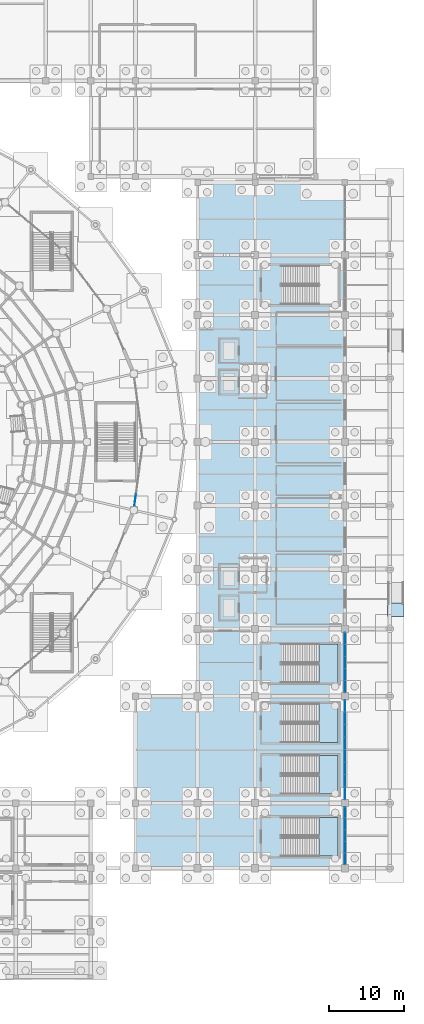
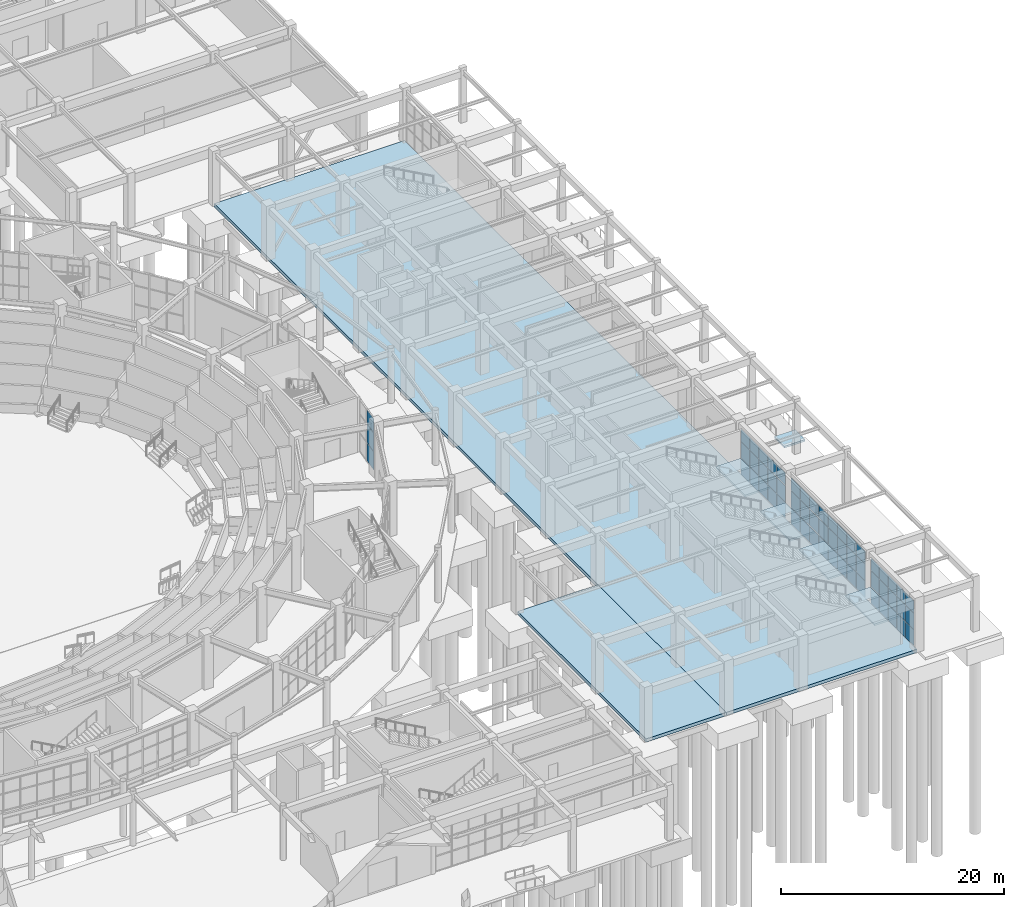
# One storey, part 75 of 121: 57 plates, 7 slabs, 9 elements without a shape of their own.
"""IFC4 building model written with IfcOpenShell, lengths in metres."""

from ifc_helpers import new_model, si_unit, direction, frame, origin, origin_2d, place, context, subcontext, project, spatial, polyline, rectangle, outline, extrude, material, layer, layer_set, type_object, element, aggregate, save


model = new_model("IFC4")

# Units and contexts
model_context = context("Model", 3, precision=1e-05, world=origin(), true_north=direction((0.0, 1.0)))
body_context = subcontext(model_context, "Body", "Model", "MODEL_VIEW")
ifc_project = project(units=[si_unit("LENGTHUNIT", "METRE"), si_unit("AREAUNIT", "SQUARE_METRE"), si_unit("VOLUMEUNIT", "CUBIC_METRE"), si_unit("PLANEANGLEUNIT", "RADIAN"), si_unit("MASSUNIT", "GRAM", prefix="KILO")], contexts=[model_context])

# Site, building, storey
site_placement = place(None, origin())
site = spatial("IfcSite", under=ifc_project, at=site_placement, CompositionType="ELEMENT")
building_placement = place(site_placement, origin())
building = spatial("IfcBuilding", under=site, at=building_placement, Name="Cuetzalor Civic Arena", CompositionType="ELEMENT")
storey_placement = place(building_placement, origin())
storey = spatial("IfcBuildingStorey", under=building, at=storey_placement, Name="L00", CompositionType="ELEMENT", Elevation=0.0)

# Curtain wall, plates
ifc_material_1 = material(Name="Anodised dark bronze aluminium and low-E solar glass", Category="aluminium")
curtain_wall_type_1 = type_object("IfcCurtainWallType", Name="UnitisedCW_8150x5700", PredefinedType="USERDEFINED", material=ifc_material_1)
curtain_wall_1_placement = place(storey_placement, origin())
curtain_wall_1 = element("IfcCurtainWall", 1, at=curtain_wall_1_placement, inside=storey, type_object=curtain_wall_type_1, Name="Drum Ground Recessed Concourse Curtain Wall L00-020", ObjectType="UNITISED CURTAIN WALL", PredefinedType="USERDEFINED")
ifc_material_2 = material(Name="Acoustic laminated solar control glass", Category="glass")
ifc_layer_1 = layer(ifc_material_2, 0.0439453125)
ifc_layer_set_1 = layer_set([ifc_layer_1], Name="Acoustic laminated solar control glass")
plate_type = type_object("IfcPlateType", Name="AcousticTripleGlazedPanel_44", PredefinedType="CURTAIN_PANEL", material=ifc_layer_set_1)
plate_1_placement = place(storey_placement, frame((47.951904296875, -7.784423828125, 0.06982421875), z_axis=(0.0, 0.0, 1.0), x_axis=(-0.133443440892, -0.991056430322, 0.0)))
plate_1 = element("IfcPlate", 2, at=plate_1_placement, type_object=plate_type, Name="CW-01 panel 5.1", PredefinedType="CURTAIN_PANEL", context=body_context, shape_type="SweptSolid", body=[
    extrude(rectangle(XDim=1.52978515625, YDim=0.0439453125, at=origin_2d()), origin(), (0.0, 0.0, 1.0), 1.947021484375),
])
plate_2_placement = place(storey_placement, frame((47.951904296875, -7.784423828125, 2.0869140625), z_axis=(0.0, 0.0, 1.0), x_axis=(-0.133443440892, -0.991056430322, 0.0)))
plate_2 = element("IfcPlate", 3, at=plate_2_placement, type_object=plate_type, Name="CW-01 panel 5.2", PredefinedType="CURTAIN_PANEL", context=body_context, shape_type="SweptSolid", body=[
    extrude(rectangle(XDim=1.52978515625, YDim=0.0439453125, at=origin_2d()), origin(), (0.0, 0.0, 1.0), 1.98193359375),
])
plate_3_placement = place(storey_placement, frame((47.951904296875, -7.784423828125, 4.13916015625), z_axis=(0.0, 0.0, 1.0), x_axis=(-0.133443440892, -0.991056430322, 0.0)))
plate_3 = element("IfcPlate", 4, at=plate_3_placement, type_object=plate_type, Name="CW-01 panel 5.3", PredefinedType="CURTAIN_PANEL", context=body_context, shape_type="SweptSolid", body=[
    extrude(rectangle(XDim=1.52978515625, YDim=0.0439453125, at=origin_2d()), origin(), (0.0, 0.0, 1.0), 1.490966796875),
])
aggregate(curtain_wall_1, [plate_1, plate_2, plate_3])

ifc_material_3 = material(Name="Anodised dark bronze aluminium and low-E solar glass", Category="aluminium")
curtain_wall_type_2 = type_object("IfcCurtainWallType", Name="UnitisedCW_7800x5050", PredefinedType="USERDEFINED", material=ifc_material_3)
curtain_wall_2_placement = place(storey_placement, origin())
curtain_wall_2 = element("IfcCurtainWall", 5, at=curtain_wall_2_placement, inside=storey, type_object=curtain_wall_type_2, Name="V4E Colonnade Curtain Wall L00-130", ObjectType="UNITISED CURTAIN WALL", PredefinedType="USERDEFINED")
plate_4_placement = place(storey_placement, frame((76.0, -49.552978515625, 0.070068359375), z_axis=(0.0, 0.0, 1.0), x_axis=(0.0, -1.0, 0.0)))
plate_4 = element("IfcPlate", 6, at=plate_4_placement, type_object=plate_type, Name="CW-31 panel 1.1", PredefinedType="CURTAIN_PANEL", context=body_context, shape_type="SweptSolid", body=[
    extrude(rectangle(XDim=1.4521484375, YDim=0.0439453125, at=origin_2d()), origin(), (0.0, 0.0, 1.0), 1.708984375),
])
plate_5_placement = place(storey_placement, frame((76.0, -49.552978515625, 1.848876953125), z_axis=(0.0, 0.0, 1.0), x_axis=(0.0, -1.0, 0.0)))
plate_5 = element("IfcPlate", 7, at=plate_5_placement, type_object=plate_type, Name="CW-31 panel 1.2", PredefinedType="CURTAIN_PANEL", context=body_context, shape_type="SweptSolid", body=[
    extrude(rectangle(XDim=1.4521484375, YDim=0.0439453125, at=origin_2d()), origin(), (0.0, 0.0, 1.0), 1.7451171875),
])
plate_6_placement = place(storey_placement, frame((76.0, -49.552978515625, 3.6640625), z_axis=(0.0, 0.0, 1.0), x_axis=(0.0, -1.0, 0.0)))
plate_6 = element("IfcPlate", 8, at=plate_6_placement, type_object=plate_type, Name="CW-31 panel 1.3", PredefinedType="CURTAIN_PANEL", context=body_context, shape_type="SweptSolid", body=[
    extrude(rectangle(XDim=1.4521484375, YDim=0.0439453125, at=origin_2d()), origin(), (0.0, 0.0, 1.0), 1.305908203125),
])
plate_7_placement = place(storey_placement, frame((76.0, -51.0927734375, 0.070068359375), z_axis=(0.0, 0.0, 1.0), x_axis=(0.0, -1.0, 0.0)))
plate_7 = element("IfcPlate", 9, at=plate_7_placement, type_object=plate_type, Name="CW-31 panel 2.1", PredefinedType="CURTAIN_PANEL", context=body_context, shape_type="SweptSolid", body=[
    extrude(rectangle(XDim=1.4873046875, YDim=0.0439453125, at=origin_2d()), origin(), (0.0, 0.0, 1.0), 1.708984375),
])
plate_8_placement = place(storey_placement, frame((76.0, -51.0927734375, 1.848876953125), z_axis=(0.0, 0.0, 1.0), x_axis=(0.0, -1.0, 0.0)))
plate_8 = element("IfcPlate", 10, at=plate_8_placement, type_object=plate_type, Name="CW-31 panel 2.2", PredefinedType="CURTAIN_PANEL", context=body_context, shape_type="SweptSolid", body=[
    extrude(rectangle(XDim=1.4873046875, YDim=0.0439453125, at=origin_2d()), origin(), (0.0, 0.0, 1.0), 1.7451171875),
])
plate_9_placement = place(storey_placement, frame((76.0, -51.0927734375, 3.6640625), z_axis=(0.0, 0.0, 1.0), x_axis=(0.0, -1.0, 0.0)))
plate_9 = element("IfcPlate", 11, at=plate_9_placement, type_object=plate_type, Name="CW-31 panel 2.3", PredefinedType="CURTAIN_PANEL", context=body_context, shape_type="SweptSolid", body=[
    extrude(rectangle(XDim=1.4873046875, YDim=0.0439453125, at=origin_2d()), origin(), (0.0, 0.0, 1.0), 1.305908203125),
])
plate_10_placement = place(storey_placement, frame((76.0, -52.64990234375, 0.070068359375), z_axis=(0.0, 0.0, 1.0), x_axis=(0.0, -1.0, 0.0)))
plate_10 = element("IfcPlate", 12, at=plate_10_placement, type_object=plate_type, Name="CW-31 panel 3.1", PredefinedType="CURTAIN_PANEL", context=body_context, shape_type="SweptSolid", body=[
    extrude(rectangle(XDim=1.4873046875, YDim=0.0439453125, at=origin_2d()), origin(), (0.0, 0.0, 1.0), 1.708984375),
])
plate_11_placement = place(storey_placement, frame((76.0, -52.64990234375, 1.848876953125), z_axis=(0.0, 0.0, 1.0), x_axis=(0.0, -1.0, 0.0)))
plate_11 = element("IfcPlate", 13, at=plate_11_placement, type_object=plate_type, Name="CW-31 panel 3.2", PredefinedType="CURTAIN_PANEL", context=body_context, shape_type="SweptSolid", body=[
    extrude(rectangle(XDim=1.4873046875, YDim=0.0439453125, at=origin_2d()), origin(), (0.0, 0.0, 1.0), 1.7451171875),
])
plate_12_placement = place(storey_placement, frame((76.0, -52.64990234375, 3.6640625), z_axis=(0.0, 0.0, 1.0), x_axis=(0.0, -1.0, 0.0)))
plate_12 = element("IfcPlate", 14, at=plate_12_placement, type_object=plate_type, Name="CW-31 panel 3.3", PredefinedType="CURTAIN_PANEL", context=body_context, shape_type="SweptSolid", body=[
    extrude(rectangle(XDim=1.4873046875, YDim=0.0439453125, at=origin_2d()), origin(), (0.0, 0.0, 1.0), 1.305908203125),
])
plate_13_placement = place(storey_placement, frame((76.0, -54.207275390625, 0.070068359375), z_axis=(0.0, 0.0, 1.0), x_axis=(0.0, -1.0, 0.0)))
plate_13 = element("IfcPlate", 15, at=plate_13_placement, type_object=plate_type, Name="CW-31 panel 4.1", PredefinedType="CURTAIN_PANEL", context=body_context, shape_type="SweptSolid", body=[
    extrude(rectangle(XDim=1.4873046875, YDim=0.0439453125, at=origin_2d()), origin(), (0.0, 0.0, 1.0), 1.708984375),
])
plate_14_placement = place(storey_placement, frame((76.0, -54.207275390625, 1.848876953125), z_axis=(0.0, 0.0, 1.0), x_axis=(0.0, -1.0, 0.0)))
plate_14 = element("IfcPlate", 16, at=plate_14_placement, type_object=plate_type, Name="CW-31 panel 4.2", PredefinedType="CURTAIN_PANEL", context=body_context, shape_type="SweptSolid", body=[
    extrude(rectangle(XDim=1.4873046875, YDim=0.0439453125, at=origin_2d()), origin(), (0.0, 0.0, 1.0), 1.7451171875),
])
plate_15_placement = place(storey_placement, frame((76.0, -54.207275390625, 3.6640625), z_axis=(0.0, 0.0, 1.0), x_axis=(0.0, -1.0, 0.0)))
plate_15 = element("IfcPlate", 17, at=plate_15_placement, type_object=plate_type, Name="CW-31 panel 4.3", PredefinedType="CURTAIN_PANEL", context=body_context, shape_type="SweptSolid", body=[
    extrude(rectangle(XDim=1.4873046875, YDim=0.0439453125, at=origin_2d()), origin(), (0.0, 0.0, 1.0), 1.305908203125),
])
plate_16_placement = place(storey_placement, frame((76.0, -55.746826171875, 0.070068359375), z_axis=(0.0, 0.0, 1.0), x_axis=(0.0, -1.0, 0.0)))
plate_16 = element("IfcPlate", 18, at=plate_16_placement, type_object=plate_type, Name="CW-31 panel 5.1", PredefinedType="CURTAIN_PANEL", context=body_context, shape_type="SweptSolid", body=[
    extrude(rectangle(XDim=1.4521484375, YDim=0.0439453125, at=origin_2d()), origin(), (0.0, 0.0, 1.0), 1.708984375),
])
plate_17_placement = place(storey_placement, frame((76.0, -55.746826171875, 1.848876953125), z_axis=(0.0, 0.0, 1.0), x_axis=(0.0, -1.0, 0.0)))
plate_17 = element("IfcPlate", 19, at=plate_17_placement, type_object=plate_type, Name="CW-31 panel 5.2", PredefinedType="CURTAIN_PANEL", context=body_context, shape_type="SweptSolid", body=[
    extrude(rectangle(XDim=1.4521484375, YDim=0.0439453125, at=origin_2d()), origin(), (0.0, 0.0, 1.0), 1.7451171875),
])
plate_18_placement = place(storey_placement, frame((76.0, -55.746826171875, 3.6640625), z_axis=(0.0, 0.0, 1.0), x_axis=(0.0, -1.0, 0.0)))
plate_18 = element("IfcPlate", 20, at=plate_18_placement, type_object=plate_type, Name="CW-31 panel 5.3", PredefinedType="CURTAIN_PANEL", context=body_context, shape_type="SweptSolid", body=[
    extrude(rectangle(XDim=1.4521484375, YDim=0.0439453125, at=origin_2d()), origin(), (0.0, 0.0, 1.0), 1.305908203125),
])
aggregate(curtain_wall_2, [plate_4, plate_5, plate_6, plate_7, plate_8, plate_9, plate_10, plate_11, plate_12, plate_13, plate_14, plate_15, plate_16, plate_17, plate_18])

ifc_material_4 = material(Name="Anodised dark bronze aluminium and low-E solar glass", Category="aluminium")
curtain_wall_type_3 = type_object("IfcCurtainWallType", Name="UnitisedCW_13400x5150", PredefinedType="USERDEFINED", material=ifc_material_4)
curtain_wall_3_placement = place(storey_placement, origin())
curtain_wall_3 = element("IfcCurtainWall", 21, at=curtain_wall_3_placement, inside=storey, type_object=curtain_wall_type_3, Name="V4E Colonnade Curtain Wall L00-131", ObjectType="UNITISED CURTAIN WALL", PredefinedType="USERDEFINED")
plate_19_placement = place(storey_placement, frame((76.0, -35.31103515625, 0.070068359375), z_axis=(0.0, 0.0, 1.0), x_axis=(0.0, -1.0, 0.0)))
plate_19 = element("IfcPlate", 22, at=plate_19_placement, type_object=plate_type, Name="CW-32 panel 1.1", PredefinedType="CURTAIN_PANEL", context=body_context, shape_type="SweptSolid", body=[
    extrude(rectangle(XDim=1.568359375, YDim=0.0439453125, at=origin_2d()), origin(), (0.0, 0.0, 1.0), 1.751953125),
])
plate_20_placement = place(storey_placement, frame((76.0, -35.31103515625, 1.89208984375), z_axis=(0.0, 0.0, 1.0), x_axis=(0.0, -1.0, 0.0)))
plate_20 = element("IfcPlate", 23, at=plate_20_placement, type_object=plate_type, Name="CW-32 panel 1.2", PredefinedType="CURTAIN_PANEL", context=body_context, shape_type="SweptSolid", body=[
    extrude(rectangle(XDim=1.568359375, YDim=0.0439453125, at=origin_2d()), origin(), (0.0, 0.0, 1.0), 1.785888671875),
])
plate_21_placement = place(storey_placement, frame((76.0, -35.31103515625, 3.748046875), z_axis=(0.0, 0.0, 1.0), x_axis=(0.0, -1.0, 0.0)))
plate_21 = element("IfcPlate", 24, at=plate_21_placement, type_object=plate_type, Name="CW-32 panel 1.3", PredefinedType="CURTAIN_PANEL", context=body_context, shape_type="SweptSolid", body=[
    extrude(rectangle(XDim=1.568359375, YDim=0.0439453125, at=origin_2d()), origin(), (0.0, 0.0, 1.0), 1.339111328125),
])
plate_22_placement = place(storey_placement, frame((76.0, -36.966796875, 0.070068359375), z_axis=(0.0, 0.0, 1.0), x_axis=(0.0, -1.0, 0.0)))
plate_22 = element("IfcPlate", 25, at=plate_22_placement, type_object=plate_type, Name="CW-32 panel 2.1", PredefinedType="CURTAIN_PANEL", context=body_context, shape_type="SweptSolid", body=[
    extrude(rectangle(XDim=1.603271484375, YDim=0.0439453125, at=origin_2d()), origin(), (0.0, 0.0, 1.0), 1.751953125),
])
plate_23_placement = place(storey_placement, frame((76.0, -36.966796875, 1.89208984375), z_axis=(0.0, 0.0, 1.0), x_axis=(0.0, -1.0, 0.0)))
plate_23 = element("IfcPlate", 26, at=plate_23_placement, type_object=plate_type, Name="CW-32 panel 2.2", PredefinedType="CURTAIN_PANEL", context=body_context, shape_type="SweptSolid", body=[
    extrude(rectangle(XDim=1.603271484375, YDim=0.0439453125, at=origin_2d()), origin(), (0.0, 0.0, 1.0), 1.785888671875),
])
plate_24_placement = place(storey_placement, frame((76.0, -36.966796875, 3.748046875), z_axis=(0.0, 0.0, 1.0), x_axis=(0.0, -1.0, 0.0)))
plate_24 = element("IfcPlate", 27, at=plate_24_placement, type_object=plate_type, Name="CW-32 panel 2.3", PredefinedType="CURTAIN_PANEL", context=body_context, shape_type="SweptSolid", body=[
    extrude(rectangle(XDim=1.603271484375, YDim=0.0439453125, at=origin_2d()), origin(), (0.0, 0.0, 1.0), 1.339111328125),
])
plate_25_placement = place(storey_placement, frame((76.0, -38.64013671875, 0.070068359375), z_axis=(0.0, 0.0, 1.0), x_axis=(0.0, -1.0, 0.0)))
plate_25 = element("IfcPlate", 28, at=plate_25_placement, type_object=plate_type, Name="CW-32 panel 3.1", PredefinedType="CURTAIN_PANEL", context=body_context, shape_type="SweptSolid", body=[
    extrude(rectangle(XDim=1.603271484375, YDim=0.0439453125, at=origin_2d()), origin(), (0.0, 0.0, 1.0), 1.751953125),
])
plate_26_placement = place(storey_placement, frame((76.0, -38.64013671875, 1.89208984375), z_axis=(0.0, 0.0, 1.0), x_axis=(0.0, -1.0, 0.0)))
plate_26 = element("IfcPlate", 29, at=plate_26_placement, type_object=plate_type, Name="CW-32 panel 3.2", PredefinedType="CURTAIN_PANEL", context=body_context, shape_type="SweptSolid", body=[
    extrude(rectangle(XDim=1.603271484375, YDim=0.0439453125, at=origin_2d()), origin(), (0.0, 0.0, 1.0), 1.785888671875),
])
plate_27_placement = place(storey_placement, frame((76.0, -38.64013671875, 3.748046875), z_axis=(0.0, 0.0, 1.0), x_axis=(0.0, -1.0, 0.0)))
plate_27 = element("IfcPlate", 30, at=plate_27_placement, type_object=plate_type, Name="CW-32 panel 3.3", PredefinedType="CURTAIN_PANEL", context=body_context, shape_type="SweptSolid", body=[
    extrude(rectangle(XDim=1.603271484375, YDim=0.0439453125, at=origin_2d()), origin(), (0.0, 0.0, 1.0), 1.339111328125),
])
plate_28_placement = place(storey_placement, frame((76.0, -40.3134765625, 0.070068359375), z_axis=(0.0, 0.0, 1.0), x_axis=(0.0, -1.0, 0.0)))
plate_28 = element("IfcPlate", 31, at=plate_28_placement, type_object=plate_type, Name="CW-32 panel 4.1", PredefinedType="CURTAIN_PANEL", context=body_context, shape_type="SweptSolid", body=[
    extrude(rectangle(XDim=1.603271484375, YDim=0.0439453125, at=origin_2d()), origin(), (0.0, 0.0, 1.0), 1.751953125),
])
plate_29_placement = place(storey_placement, frame((76.0, -40.3134765625, 1.89208984375), z_axis=(0.0, 0.0, 1.0), x_axis=(0.0, -1.0, 0.0)))
plate_29 = element("IfcPlate", 32, at=plate_29_placement, type_object=plate_type, Name="CW-32 panel 4.2", PredefinedType="CURTAIN_PANEL", context=body_context, shape_type="SweptSolid", body=[
    extrude(rectangle(XDim=1.603271484375, YDim=0.0439453125, at=origin_2d()), origin(), (0.0, 0.0, 1.0), 1.785888671875),
])
plate_30_placement = place(storey_placement, frame((76.0, -40.3134765625, 3.748046875), z_axis=(0.0, 0.0, 1.0), x_axis=(0.0, -1.0, 0.0)))
plate_30 = element("IfcPlate", 33, at=plate_30_placement, type_object=plate_type, Name="CW-32 panel 4.3", PredefinedType="CURTAIN_PANEL", context=body_context, shape_type="SweptSolid", body=[
    extrude(rectangle(XDim=1.603271484375, YDim=0.0439453125, at=origin_2d()), origin(), (0.0, 0.0, 1.0), 1.339111328125),
])
plate_31_placement = place(storey_placement, frame((76.0, -41.986572265625, 0.070068359375), z_axis=(0.0, 0.0, 1.0), x_axis=(0.0, -1.0, 0.0)))
plate_31 = element("IfcPlate", 34, at=plate_31_placement, type_object=plate_type, Name="CW-32 panel 5.1", PredefinedType="CURTAIN_PANEL", context=body_context, shape_type="SweptSolid", body=[
    extrude(rectangle(XDim=1.603271484375, YDim=0.0439453125, at=origin_2d()), origin(), (0.0, 0.0, 1.0), 1.751953125),
])
plate_32_placement = place(storey_placement, frame((76.0, -41.986572265625, 1.89208984375), z_axis=(0.0, 0.0, 1.0), x_axis=(0.0, -1.0, 0.0)))
plate_32 = element("IfcPlate", 35, at=plate_32_placement, type_object=plate_type, Name="CW-32 panel 5.2", PredefinedType="CURTAIN_PANEL", context=body_context, shape_type="SweptSolid", body=[
    extrude(rectangle(XDim=1.603271484375, YDim=0.0439453125, at=origin_2d()), origin(), (0.0, 0.0, 1.0), 1.785888671875),
])
plate_33_placement = place(storey_placement, frame((76.0, -41.986572265625, 3.748046875), z_axis=(0.0, 0.0, 1.0), x_axis=(0.0, -1.0, 0.0)))
plate_33 = element("IfcPlate", 36, at=plate_33_placement, type_object=plate_type, Name="CW-32 panel 5.3", PredefinedType="CURTAIN_PANEL", context=body_context, shape_type="SweptSolid", body=[
    extrude(rectangle(XDim=1.603271484375, YDim=0.0439453125, at=origin_2d()), origin(), (0.0, 0.0, 1.0), 1.339111328125),
])
plate_34_placement = place(storey_placement, frame((76.0, -43.659912109375, 0.070068359375), z_axis=(0.0, 0.0, 1.0), x_axis=(0.0, -1.0, 0.0)))
plate_34 = element("IfcPlate", 37, at=plate_34_placement, type_object=plate_type, Name="CW-32 panel 6.1", PredefinedType="CURTAIN_PANEL", context=body_context, shape_type="SweptSolid", body=[
    extrude(rectangle(XDim=1.603271484375, YDim=0.0439453125, at=origin_2d()), origin(), (0.0, 0.0, 1.0), 1.751953125),
])
plate_35_placement = place(storey_placement, frame((76.0, -43.659912109375, 1.89208984375), z_axis=(0.0, 0.0, 1.0), x_axis=(0.0, -1.0, 0.0)))
plate_35 = element("IfcPlate", 38, at=plate_35_placement, type_object=plate_type, Name="CW-32 panel 6.2", PredefinedType="CURTAIN_PANEL", context=body_context, shape_type="SweptSolid", body=[
    extrude(rectangle(XDim=1.603271484375, YDim=0.0439453125, at=origin_2d()), origin(), (0.0, 0.0, 1.0), 1.785888671875),
])
plate_36_placement = place(storey_placement, frame((76.0, -43.659912109375, 3.748046875), z_axis=(0.0, 0.0, 1.0), x_axis=(0.0, -1.0, 0.0)))
plate_36 = element("IfcPlate", 39, at=plate_36_placement, type_object=plate_type, Name="CW-32 panel 6.3", PredefinedType="CURTAIN_PANEL", context=body_context, shape_type="SweptSolid", body=[
    extrude(rectangle(XDim=1.603271484375, YDim=0.0439453125, at=origin_2d()), origin(), (0.0, 0.0, 1.0), 1.339111328125),
])
plate_37_placement = place(storey_placement, frame((76.0, -45.3330078125, 0.070068359375), z_axis=(0.0, 0.0, 1.0), x_axis=(0.0, -1.0, 0.0)))
plate_37 = element("IfcPlate", 40, at=plate_37_placement, type_object=plate_type, Name="CW-32 panel 7.1", PredefinedType="CURTAIN_PANEL", context=body_context, shape_type="SweptSolid", body=[
    extrude(rectangle(XDim=1.603271484375, YDim=0.0439453125, at=origin_2d()), origin(), (0.0, 0.0, 1.0), 1.751953125),
])
plate_38_placement = place(storey_placement, frame((76.0, -45.3330078125, 1.89208984375), z_axis=(0.0, 0.0, 1.0), x_axis=(0.0, -1.0, 0.0)))
plate_38 = element("IfcPlate", 41, at=plate_38_placement, type_object=plate_type, Name="CW-32 panel 7.2", PredefinedType="CURTAIN_PANEL", context=body_context, shape_type="SweptSolid", body=[
    extrude(rectangle(XDim=1.603271484375, YDim=0.0439453125, at=origin_2d()), origin(), (0.0, 0.0, 1.0), 1.785888671875),
])
plate_39_placement = place(storey_placement, frame((76.0, -45.3330078125, 3.748046875), z_axis=(0.0, 0.0, 1.0), x_axis=(0.0, -1.0, 0.0)))
plate_39 = element("IfcPlate", 42, at=plate_39_placement, type_object=plate_type, Name="CW-32 panel 7.3", PredefinedType="CURTAIN_PANEL", context=body_context, shape_type="SweptSolid", body=[
    extrude(rectangle(XDim=1.603271484375, YDim=0.0439453125, at=origin_2d()), origin(), (0.0, 0.0, 1.0), 1.339111328125),
])
plate_40_placement = place(storey_placement, frame((76.0, -46.98876953125, 0.070068359375), z_axis=(0.0, 0.0, 1.0), x_axis=(0.0, -1.0, 0.0)))
plate_40 = element("IfcPlate", 43, at=plate_40_placement, type_object=plate_type, Name="CW-32 panel 8.1", PredefinedType="CURTAIN_PANEL", context=body_context, shape_type="SweptSolid", body=[
    extrude(rectangle(XDim=1.568359375, YDim=0.0439453125, at=origin_2d()), origin(), (0.0, 0.0, 1.0), 1.751953125),
])
plate_41_placement = place(storey_placement, frame((76.0, -46.98876953125, 1.89208984375), z_axis=(0.0, 0.0, 1.0), x_axis=(0.0, -1.0, 0.0)))
plate_41 = element("IfcPlate", 44, at=plate_41_placement, type_object=plate_type, Name="CW-32 panel 8.2", PredefinedType="CURTAIN_PANEL", context=body_context, shape_type="SweptSolid", body=[
    extrude(rectangle(XDim=1.568359375, YDim=0.0439453125, at=origin_2d()), origin(), (0.0, 0.0, 1.0), 1.785888671875),
])
plate_42_placement = place(storey_placement, frame((76.0, -46.98876953125, 3.748046875), z_axis=(0.0, 0.0, 1.0), x_axis=(0.0, -1.0, 0.0)))
plate_42 = element("IfcPlate", 45, at=plate_42_placement, type_object=plate_type, Name="CW-32 panel 8.3", PredefinedType="CURTAIN_PANEL", context=body_context, shape_type="SweptSolid", body=[
    extrude(rectangle(XDim=1.568359375, YDim=0.0439453125, at=origin_2d()), origin(), (0.0, 0.0, 1.0), 1.339111328125),
])
aggregate(curtain_wall_3, [plate_19, plate_20, plate_21, plate_22, plate_23, plate_24, plate_25, plate_26, plate_27, plate_28, plate_29, plate_30, plate_31, plate_32, plate_33, plate_34, plate_35, plate_36, plate_37, plate_38, plate_39, plate_40, plate_41, plate_42])

ifc_material_5 = material(Name="Anodised dark bronze aluminium and low-E solar glass", Category="aluminium")
curtain_wall_type_4 = type_object("IfcCurtainWallType", Name="UnitisedCW_8100x5050", PredefinedType="USERDEFINED", material=ifc_material_5)
curtain_wall_4_placement = place(storey_placement, origin())
curtain_wall_4 = element("IfcCurtainWall", 46, at=curtain_wall_4_placement, inside=storey, type_object=curtain_wall_type_4, Name="V4E Colonnade Curtain Wall L00-132", ObjectType="UNITISED CURTAIN WALL", PredefinedType="USERDEFINED")
plate_43_placement = place(storey_placement, frame((76.0, -26.283203125, 0.070068359375), z_axis=(0.0, 0.0, 1.0), x_axis=(0.0, -1.0, 0.0)))
plate_43 = element("IfcPlate", 47, at=plate_43_placement, type_object=plate_type, Name="CW-33 panel 1.1", PredefinedType="CURTAIN_PANEL", context=body_context, shape_type="SweptSolid", body=[
    extrude(rectangle(XDim=1.51220703125, YDim=0.0439453125, at=origin_2d()), origin(), (0.0, 0.0, 1.0), 1.708984375),
])
plate_44_placement = place(storey_placement, frame((76.0, -26.283203125, 1.848876953125), z_axis=(0.0, 0.0, 1.0), x_axis=(0.0, -1.0, 0.0)))
plate_44 = element("IfcPlate", 48, at=plate_44_placement, type_object=plate_type, Name="CW-33 panel 1.2", PredefinedType="CURTAIN_PANEL", context=body_context, shape_type="SweptSolid", body=[
    extrude(rectangle(XDim=1.51220703125, YDim=0.0439453125, at=origin_2d()), origin(), (0.0, 0.0, 1.0), 1.7451171875),
])
plate_45_placement = place(storey_placement, frame((76.0, -26.283203125, 3.6640625), z_axis=(0.0, 0.0, 1.0), x_axis=(0.0, -1.0, 0.0)))
plate_45 = element("IfcPlate", 49, at=plate_45_placement, type_object=plate_type, Name="CW-33 panel 1.3", PredefinedType="CURTAIN_PANEL", context=body_context, shape_type="SweptSolid", body=[
    extrude(rectangle(XDim=1.51220703125, YDim=0.0439453125, at=origin_2d()), origin(), (0.0, 0.0, 1.0), 1.305908203125),
])
plate_46_placement = place(storey_placement, frame((76.0, -27.8828125, 0.070068359375), z_axis=(0.0, 0.0, 1.0), x_axis=(0.0, -1.0, 0.0)))
plate_46 = element("IfcPlate", 50, at=plate_46_placement, type_object=plate_type, Name="CW-33 panel 2.1", PredefinedType="CURTAIN_PANEL", context=body_context, shape_type="SweptSolid", body=[
    extrude(rectangle(XDim=1.547119140625, YDim=0.0439453125, at=origin_2d()), origin(), (0.0, 0.0, 1.0), 1.708984375),
])
plate_47_placement = place(storey_placement, frame((76.0, -27.8828125, 1.848876953125), z_axis=(0.0, 0.0, 1.0), x_axis=(0.0, -1.0, 0.0)))
plate_47 = element("IfcPlate", 51, at=plate_47_placement, type_object=plate_type, Name="CW-33 panel 2.2", PredefinedType="CURTAIN_PANEL", context=body_context, shape_type="SweptSolid", body=[
    extrude(rectangle(XDim=1.547119140625, YDim=0.0439453125, at=origin_2d()), origin(), (0.0, 0.0, 1.0), 1.7451171875),
])
plate_48_placement = place(storey_placement, frame((76.0, -27.8828125, 3.6640625), z_axis=(0.0, 0.0, 1.0), x_axis=(0.0, -1.0, 0.0)))
plate_48 = element("IfcPlate", 52, at=plate_48_placement, type_object=plate_type, Name="CW-33 panel 2.3", PredefinedType="CURTAIN_PANEL", context=body_context, shape_type="SweptSolid", body=[
    extrude(rectangle(XDim=1.547119140625, YDim=0.0439453125, at=origin_2d()), origin(), (0.0, 0.0, 1.0), 1.305908203125),
])
plate_49_placement = place(storey_placement, frame((76.0, -29.5, 0.070068359375), z_axis=(0.0, 0.0, 1.0), x_axis=(0.0, -1.0, 0.0)))
plate_49 = element("IfcPlate", 53, at=plate_49_placement, type_object=plate_type, Name="CW-33 panel 3.1", PredefinedType="CURTAIN_PANEL", context=body_context, shape_type="SweptSolid", body=[
    extrude(rectangle(XDim=1.547119140625, YDim=0.0439453125, at=origin_2d()), origin(), (0.0, 0.0, 1.0), 1.708984375),
])
plate_50_placement = place(storey_placement, frame((76.0, -29.5, 1.848876953125), z_axis=(0.0, 0.0, 1.0), x_axis=(0.0, -1.0, 0.0)))
plate_50 = element("IfcPlate", 54, at=plate_50_placement, type_object=plate_type, Name="CW-33 panel 3.2", PredefinedType="CURTAIN_PANEL", context=body_context, shape_type="SweptSolid", body=[
    extrude(rectangle(XDim=1.547119140625, YDim=0.0439453125, at=origin_2d()), origin(), (0.0, 0.0, 1.0), 1.7451171875),
])
plate_51_placement = place(storey_placement, frame((76.0, -29.5, 3.6640625), z_axis=(0.0, 0.0, 1.0), x_axis=(0.0, -1.0, 0.0)))
plate_51 = element("IfcPlate", 55, at=plate_51_placement, type_object=plate_type, Name="CW-33 panel 3.3", PredefinedType="CURTAIN_PANEL", context=body_context, shape_type="SweptSolid", body=[
    extrude(rectangle(XDim=1.547119140625, YDim=0.0439453125, at=origin_2d()), origin(), (0.0, 0.0, 1.0), 1.305908203125),
])
plate_52_placement = place(storey_placement, frame((76.0, -31.1171875, 0.070068359375), z_axis=(0.0, 0.0, 1.0), x_axis=(0.0, -1.0, 0.0)))
plate_52 = element("IfcPlate", 56, at=plate_52_placement, type_object=plate_type, Name="CW-33 panel 4.1", PredefinedType="CURTAIN_PANEL", context=body_context, shape_type="SweptSolid", body=[
    extrude(rectangle(XDim=1.547119140625, YDim=0.0439453125, at=origin_2d()), origin(), (0.0, 0.0, 1.0), 1.708984375),
])
plate_53_placement = place(storey_placement, frame((76.0, -31.1171875, 1.848876953125), z_axis=(0.0, 0.0, 1.0), x_axis=(0.0, -1.0, 0.0)))
plate_53 = element("IfcPlate", 57, at=plate_53_placement, type_object=plate_type, Name="CW-33 panel 4.2", PredefinedType="CURTAIN_PANEL", context=body_context, shape_type="SweptSolid", body=[
    extrude(rectangle(XDim=1.547119140625, YDim=0.0439453125, at=origin_2d()), origin(), (0.0, 0.0, 1.0), 1.7451171875),
])
plate_54_placement = place(storey_placement, frame((76.0, -31.1171875, 3.6640625), z_axis=(0.0, 0.0, 1.0), x_axis=(0.0, -1.0, 0.0)))
plate_54 = element("IfcPlate", 58, at=plate_54_placement, type_object=plate_type, Name="CW-33 panel 4.3", PredefinedType="CURTAIN_PANEL", context=body_context, shape_type="SweptSolid", body=[
    extrude(rectangle(XDim=1.547119140625, YDim=0.0439453125, at=origin_2d()), origin(), (0.0, 0.0, 1.0), 1.305908203125),
])
plate_55_placement = place(storey_placement, frame((76.0, -32.716796875, 0.070068359375), z_axis=(0.0, 0.0, 1.0), x_axis=(0.0, -1.0, 0.0)))
plate_55 = element("IfcPlate", 59, at=plate_55_placement, type_object=plate_type, Name="CW-33 panel 5.1", PredefinedType="CURTAIN_PANEL", context=body_context, shape_type="SweptSolid", body=[
    extrude(rectangle(XDim=1.51220703125, YDim=0.0439453125, at=origin_2d()), origin(), (0.0, 0.0, 1.0), 1.708984375),
])
plate_56_placement = place(storey_placement, frame((76.0, -32.716796875, 1.848876953125), z_axis=(0.0, 0.0, 1.0), x_axis=(0.0, -1.0, 0.0)))
plate_56 = element("IfcPlate", 60, at=plate_56_placement, type_object=plate_type, Name="CW-33 panel 5.2", PredefinedType="CURTAIN_PANEL", context=body_context, shape_type="SweptSolid", body=[
    extrude(rectangle(XDim=1.51220703125, YDim=0.0439453125, at=origin_2d()), origin(), (0.0, 0.0, 1.0), 1.7451171875),
])
plate_57_placement = place(storey_placement, frame((76.0, -32.716796875, 3.6640625), z_axis=(0.0, 0.0, 1.0), x_axis=(0.0, -1.0, 0.0)))
plate_57 = element("IfcPlate", 61, at=plate_57_placement, type_object=plate_type, Name="CW-33 panel 5.3", PredefinedType="CURTAIN_PANEL", context=body_context, shape_type="SweptSolid", body=[
    extrude(rectangle(XDim=1.51220703125, YDim=0.0439453125, at=origin_2d()), origin(), (0.0, 0.0, 1.0), 1.305908203125),
])
aggregate(curtain_wall_4, [plate_43, plate_44, plate_45, plate_46, plate_47, plate_48, plate_49, plate_50, plate_51, plate_52, plate_53, plate_54, plate_55, plate_56, plate_57])

# Slabs
ifc_material_6 = material(Name="Concrete C35/45", Category="concrete")
ifc_layer_2 = layer(ifc_material_6, 0.35009765625)
ifc_layer_set_2 = layer_set([ifc_layer_2], Name="Concrete C35/45")
slab_type_1 = type_object("IfcSlabType", Name="GroundBaseSlab_350", PredefinedType="BASESLAB", material=ifc_layer_set_2)
slab_1_placement = place(storey_placement, frame((0.0, 0.0, -0.35009765625)))
element("IfcSlab", 62, at=slab_1_placement, inside=storey, type_object=slab_type_1, Name="V4E Concourse Ground Base Slab", PredefinedType="BASESLAB", context=body_context, shape_type="SweptSolid", body=[
    extrude(outline(polyline([(56.300048828125, -57.0), (76.0, -57.0), (76.0, 34.699951171875), (56.300048828125, 34.699951171875), (56.300048828125, -57.0)])), origin(), (0.0, 0.0, 1.0), 0.35009765625),
])
slab_2_placement = place(storey_placement, frame((0.0, 0.0, -0.35009765625)))
element("IfcSlab", 63, at=slab_2_placement, inside=storey, type_object=slab_type_1, Name="V4E South Return Ground Base Slab", PredefinedType="BASESLAB", context=body_context, shape_type="SweptSolid", body=[
    extrude(outline(polyline([(48.0, -57.0), (56.300048828125, -57.0), (56.300048828125, -34.0), (48.0, -34.0), (48.0, -57.0)])), origin(), (0.0, 0.0, 1.0), 0.35009765625),
])

# Stair, slab
ifc_material_7 = material(Name="Precast concrete C40/50", Category="concrete")
stair_type = type_object("IfcStairType", Name="EnclosedExitStair_H600", PredefinedType="HALF_TURN_STAIR", material=ifc_material_7)
stair_1_placement = place(storey_placement, origin())
stair_1 = element("IfcStair", 64, at=stair_1_placement, inside=storey, type_object=stair_type, Name="L00 Enclosed Exit Stair ST-18", PredefinedType="HALF_TURN_STAIR")
ifc_material_8 = material(Name="Concrete C40/50", Category="concrete")
ifc_layer_3 = layer(ifc_material_8, 0.199951171875)
ifc_layer_set_3 = layer_set([ifc_layer_3], Name="Concrete C40/50")
slab_type_2 = type_object("IfcSlabType", Name="StairHalfLandingSlab_200", PredefinedType="LANDING", material=ifc_layer_set_3)
slab_3_placement = place(storey_placement, frame((0.0, 0.0, 2.800048828125)))
slab_3 = element("IfcSlab", 65, at=slab_3_placement, type_object=slab_type_2, Name="ST-18 landing 1", PredefinedType="LANDING", context=body_context, shape_type="SweptSolid", body=[
    extrude(outline(polyline([(72.5380859375, -55.39990234375), (75.10009765625, -55.39990234375), (75.10009765625, -50.199951171875), (72.5380859375, -50.199951171875), (72.5380859375, -55.39990234375)])), origin(), (0.0, 0.0, 1.0), 0.199951171875),
])
aggregate(stair_1, [slab_3])

stair_2_placement = place(storey_placement, origin())
stair_2 = element("IfcStair", 66, at=stair_2_placement, inside=storey, type_object=stair_type, Name="L00 Enclosed Exit Stair ST-19", PredefinedType="HALF_TURN_STAIR")
slab_4_placement = place(storey_placement, frame((0.0, 0.0, 2.800048828125)))
slab_4 = element("IfcSlab", 67, at=slab_4_placement, type_object=slab_type_2, Name="ST-19 landing 1", PredefinedType="LANDING", context=body_context, shape_type="SweptSolid", body=[
    extrude(outline(polyline([(72.5380859375, -47.10009765625), (75.10009765625, -47.10009765625), (75.10009765625, -41.89990234375), (72.5380859375, -41.89990234375), (72.5380859375, -47.10009765625)])), origin(), (0.0, 0.0, 1.0), 0.199951171875),
])
aggregate(stair_2, [slab_4])

stair_3_placement = place(storey_placement, origin())
stair_3 = element("IfcStair", 68, at=stair_3_placement, inside=storey, type_object=stair_type, Name="L00 Enclosed Exit Stair ST-20", PredefinedType="HALF_TURN_STAIR")
slab_5_placement = place(storey_placement, frame((0.0, 0.0, 2.800048828125)))
slab_5 = element("IfcSlab", 69, at=slab_5_placement, type_object=slab_type_2, Name="ST-20 landing 1", PredefinedType="LANDING", context=body_context, shape_type="SweptSolid", body=[
    extrude(outline(polyline([(72.5380859375, -40.199951171875), (75.10009765625, -40.199951171875), (75.10009765625, -35.0), (72.5380859375, -35.0), (72.5380859375, -40.199951171875)])), origin(), (0.0, 0.0, 1.0), 0.199951171875),
])
aggregate(stair_3, [slab_5])

stair_4_placement = place(storey_placement, origin())
stair_4 = element("IfcStair", 70, at=stair_4_placement, inside=storey, type_object=stair_type, Name="L00 Enclosed Exit Stair ST-21", PredefinedType="HALF_TURN_STAIR")
slab_6_placement = place(storey_placement, frame((0.0, 0.0, 2.800048828125)))
slab_6 = element("IfcSlab", 71, at=slab_6_placement, type_object=slab_type_2, Name="ST-21 landing 1", PredefinedType="LANDING", context=body_context, shape_type="SweptSolid", body=[
    extrude(outline(polyline([(72.5380859375, -32.199951171875), (75.10009765625, -32.199951171875), (75.10009765625, -27.0), (72.5380859375, -27.0), (72.5380859375, -32.199951171875)])), origin(), (0.0, 0.0, 1.0), 0.199951171875),
])
aggregate(stair_4, [slab_6])

# Ramp, slab
ifc_material_9 = material(Name="Concrete C35/45 bush-hammered", Category="concrete")
ramp_type = type_object("IfcRampType", Name="AccessibleColonnadeRamp_1in12", PredefinedType="STRAIGHT_RUN_RAMP", material=ifc_material_9)
ramp_placement = place(storey_placement, origin())
ramp = element("IfcRamp", 72, at=ramp_placement, inside=storey, type_object=ramp_type, Name="Accessible Colonnade Plaza Ramp RMP-E1", PredefinedType="STRAIGHT_RUN_RAMP")
slab_7_placement = place(storey_placement, frame((0.0, 0.0, -0.43994140625)))
slab_7 = element("IfcSlab", 73, at=slab_7_placement, type_object=slab_type_2, Name="Accessible Colonnade Ramp Approach Landing RMP-E1", PredefinedType="LANDING", context=body_context, shape_type="SweptSolid", body=[
    extrude(outline(polyline([(81.719970703125, -23.35009765625), (83.8798828125, -23.35009765625), (83.8798828125, -21.550048828125), (81.719970703125, -21.550048828125), (81.719970703125, -23.35009765625)])), origin(), (0.0, 0.0, 1.0), 0.199951171875),
])
aggregate(ramp, [slab_7])

save(model, "model.ifc")
